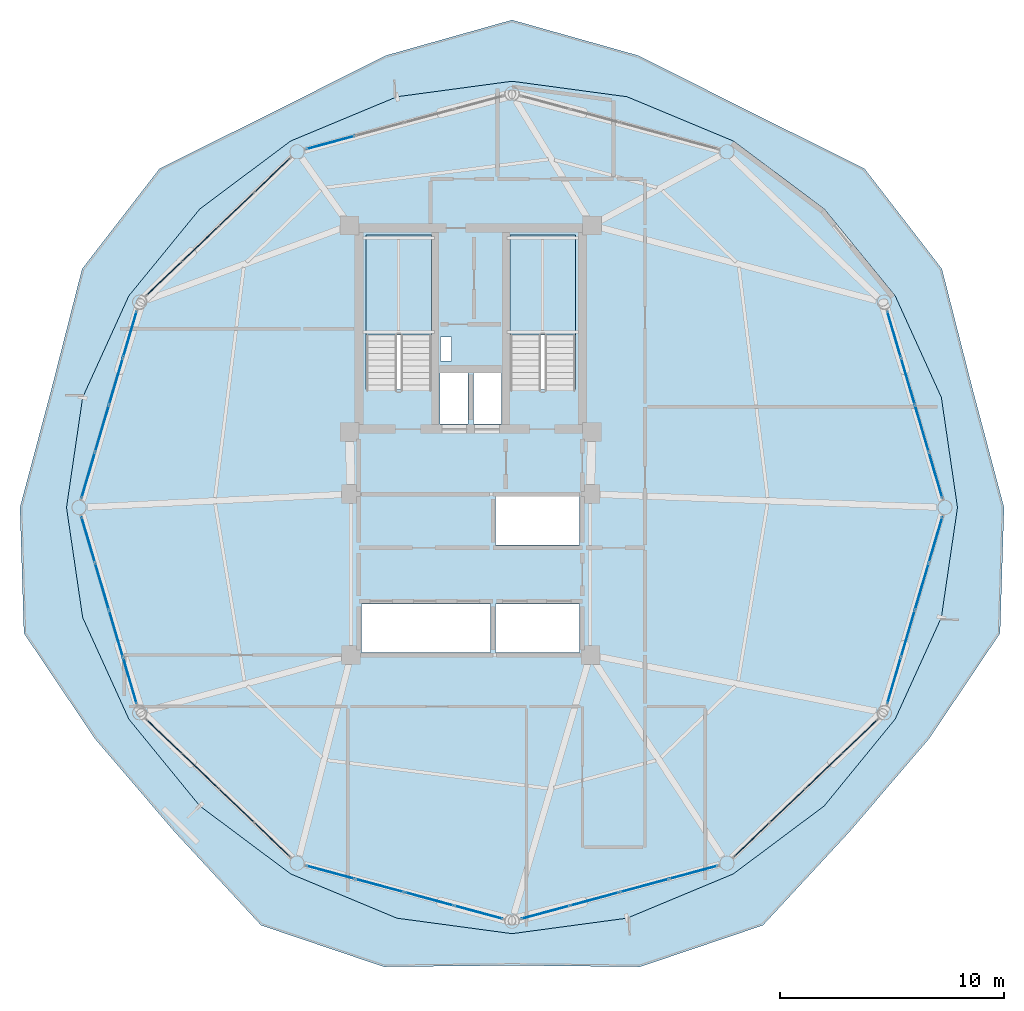
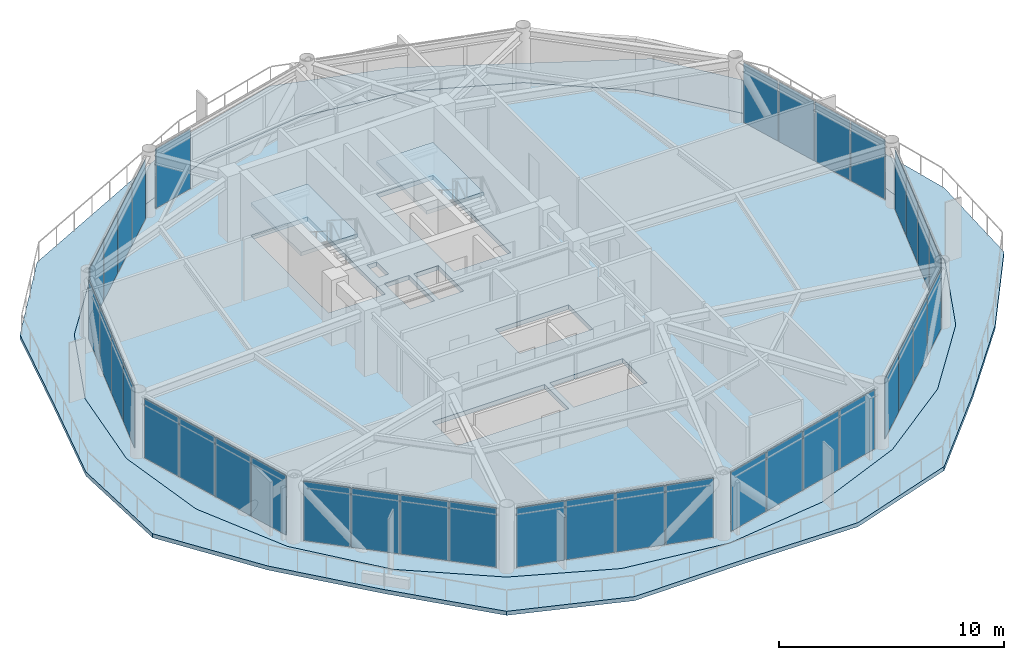
# One storey, part 22 of 28: 37 plates, 4 slabs, 12 elements without a shape of their own.
"""IFC4 building model written with IfcOpenShell, lengths in metres."""

from ifc_helpers import new_model, si_unit, direction, frame, origin, origin_2d, place, context, subcontext, project, spatial, polyline, rectangle, outline, extrude, source, transform, mapped, material, layer, layer_set, type_object, type_shapes, element, aggregate, save


model = new_model("IFC4")

# Units and contexts
model_context = context("Model", 3, precision=1e-05, world=origin(), true_north=direction((0.0, 1.0)))
body_context = subcontext(model_context, "Body", "Model", "MODEL_VIEW")
ifc_project = project(units=[si_unit("LENGTHUNIT", "METRE"), si_unit("AREAUNIT", "SQUARE_METRE"), si_unit("VOLUMEUNIT", "CUBIC_METRE"), si_unit("PLANEANGLEUNIT", "RADIAN"), si_unit("MASSUNIT", "GRAM", prefix="KILO")], contexts=[model_context])

# Site, building, storey
site_placement = place(None, origin())
site = spatial("IfcSite", under=ifc_project, at=site_placement, CompositionType="ELEMENT")
building_placement = place(site_placement, origin())
building = spatial("IfcBuilding", under=site, at=building_placement, Name="Varnakorn Sky Granary", CompositionType="ELEMENT")
storey_placement = place(building_placement, frame((0.0, 0.0, 200.39990234375)))
storey = spatial("IfcBuildingStorey", under=building, at=storey_placement, Name="L50", CompositionType="ELEMENT", Elevation=200.39990234375)

# Stair, slab
ifc_material_1 = material(Name="Concrete C40/50", Category="concrete")
stair_type = type_object("IfcStairType", Name="ST-MAIN-ASSEMBLY", PredefinedType="HALF_TURN_STAIR", material=ifc_material_1)
stair_1_placement = place(storey_placement, origin())
stair_1 = element("IfcStair", 1, at=stair_1_placement, inside=storey, type_object=stair_type, Name="L50 Protected Exit Stair ST-1", PredefinedType="HALF_TURN_STAIR")
ifc_layer_1 = layer(ifc_material_1, 0.199951171875, Name="Concrete C40/50")
ifc_layer_set_1 = layer_set([ifc_layer_1], Name="Concrete C40/50")
slab_type_1 = type_object("IfcSlabType", Name="ST-MAIN-LAND", PredefinedType="LANDING", material=ifc_layer_set_1)
slab_1_placement = place(storey_placement, frame((0.0, 0.0, 1.60009765625)))
slab_1 = element("IfcSlab", 2, at=slab_1_placement, type_object=slab_type_1, Name="ST-1 landing 1", PredefinedType="LANDING", context=body_context, shape_type="SweptSolid", body=[
    extrude(outline(polyline([(1.239990234375, 7.719970703125), (1.239990234375, 12.179931640625), (-1.669921875, 12.179931640625), (-1.669921875, 7.719970703125), (1.239990234375, 7.719970703125)])), origin(), (0.0, 0.0, 1.0), 0.199951171875),
])
aggregate(stair_1, [slab_1])

stair_2_placement = place(storey_placement, origin())
stair_2 = element("IfcStair", 3, at=stair_2_placement, inside=storey, type_object=stair_type, Name="L50 Protected Exit Stair ST-2", PredefinedType="HALF_TURN_STAIR")
slab_2_placement = place(storey_placement, frame((0.0, 0.0, 1.60009765625)))
slab_2 = element("IfcSlab", 4, at=slab_2_placement, type_object=slab_type_1, Name="ST-2 landing 1", PredefinedType="LANDING", context=body_context, shape_type="SweptSolid", body=[
    extrude(outline(polyline([(7.679931640625, 7.719970703125), (7.679931640625, 12.179931640625), (4.77001953125, 12.179931640625), (4.77001953125, 7.719970703125), (7.679931640625, 7.719970703125)])), origin(), (0.0, 0.0, 1.0), 0.199951171875),
])
aggregate(stair_2, [slab_2])

# Slabs
ifc_material_2 = material(Name="Precast concrete C40/50", Category="concrete")
ifc_layer_2 = layer(ifc_material_2, 0.219970703125, Name="Precast concrete C40/50")
ifc_layer_set_2 = layer_set([ifc_layer_2], Name="Precast concrete C40/50")
slab_type_2 = type_object("IfcSlabType", Name="ST-SL-DECK-220", PredefinedType="FLOOR", material=ifc_layer_set_2)
slab_3_placement = place(storey_placement, frame((0.0, 0.0, -0.219970703125)))
element("IfcSlab", 5, at=slab_3_placement, inside=storey, type_object=slab_type_2, Name="Wavy Sky-Farm Balcony Deck L50", PredefinedType="FLOOR", context=body_context, shape_type="SweptSolid", body=[
    extrude(outline(polyline([(26.85595703125, 0.0), (25.447021484375, 5.295654296875), (24.07666015625, 10.6689453125), (20.61328125, 15.153076171875), (15.499755859375, 17.698486328125), (10.48974609375, 20.214111328125), (4.85009765625, 21.802978515625), (-0.789794921875, 20.214111328125), (-5.7998046875, 17.698486328125), (-10.913330078125, 15.153076171875), (-14.376708984375, 10.6689453125), (-15.746826171875, 5.295654296875), (-17.156005859375, 0.0), (-16.978515625, -5.62548828125), (-13.80517578125, -10.339111328125), (-10.25341796875, -14.4931640625), (-6.371337890625, -18.6884765625), (-0.878173828125, -20.544189453125), (4.85009765625, -20.48291015625), (10.578125, -20.544189453125), (16.0712890625, -18.6884765625), (19.953369140625, -14.4931640625), (23.505126953125, -10.339111328125), (26.678466796875, -5.62548828125), (26.85595703125, 0.0)]), holes=[polyline([(24.77587890625, 0.0), (24.0537109375, 4.922119140625), (21.989501953125, 9.464111328125), (18.8125, 13.352294921875), (14.74560546875, 16.39208984375), (9.99560546875, 18.3701171875), (4.85009765625, 19.06298828125), (-0.295654296875, 18.3701171875), (-5.04541015625, 16.39208984375), (-9.112548828125, 13.352294921875), (-12.28955078125, 9.464111328125), (-14.353515625, 4.922119140625), (-15.075927734375, 0.0), (-14.353515625, -4.922119140625), (-12.28955078125, -9.464111328125), (-9.112548828125, -13.352294921875), (-5.04541015625, -16.39208984375), (-0.295654296875, -18.3701171875), (4.85009765625, -19.06298828125), (9.99560546875, -18.3701171875), (14.74560546875, -16.39208984375), (18.8125, -13.352294921875), (21.989501953125, -9.464111328125), (24.0537109375, -4.922119140625), (24.77587890625, 0.0)])]), origin(), (0.0, 0.0, 1.0), 0.219970703125),
])
ifc_material_3 = material(Name="Concrete C50/60", Category="concrete")
ifc_layer_3 = layer(ifc_material_3, 0.239990234375, Name="Concrete C50/60")
ifc_layer_set_3 = layer_set([ifc_layer_3], Name="Concrete C50/60")
slab_type_3 = type_object("IfcSlabType", Name="ST-SL-TWR-240", PredefinedType="FLOOR", material=ifc_layer_set_3)
slab_4_placement = place(storey_placement, frame((0.0, 0.0, -0.239990234375)))
element("IfcSlab", 6, at=slab_4_placement, inside=storey, type_object=slab_type_3, Name="Level L50 Structural Floor Slab", PredefinedType="FLOOR", context=body_context, shape_type="SweptSolid", body=[
    extrude(outline(polyline([(24.77587890625, 0.0), (24.0537109375, 4.922119140625), (21.989501953125, 9.464111328125), (18.8125, 13.352294921875), (14.74560546875, 16.39208984375), (9.99560546875, 18.3701171875), (4.85009765625, 19.06298828125), (-0.295654296875, 18.3701171875), (-5.04541015625, 16.39208984375), (-9.112548828125, 13.352294921875), (-12.28955078125, 9.464111328125), (-14.353515625, 4.922119140625), (-15.075927734375, 0.0), (-14.353515625, -4.922119140625), (-12.28955078125, -9.464111328125), (-9.112548828125, -13.352294921875), (-5.04541015625, -16.39208984375), (-0.295654296875, -18.3701171875), (4.85009765625, -19.06298828125), (9.99560546875, -18.3701171875), (14.74560546875, -16.39208984375), (18.8125, -13.352294921875), (21.989501953125, -9.464111328125), (24.0537109375, -4.922119140625), (24.77587890625, 0.0)]), holes=[polyline([(1.239990234375, 5.27490234375), (1.239990234375, 12.179931640625), (-1.669921875, 12.179931640625), (-1.669921875, 5.27490234375), (1.239990234375, 5.27490234375)]), polyline([(7.679931640625, 5.27490234375), (7.679931640625, 12.179931640625), (4.77001953125, 12.179931640625), (4.77001953125, 5.27490234375), (7.679931640625, 5.27490234375)]), polyline([(1.659912109375, 6.550048828125), (2.14990234375, 6.550048828125), (2.14990234375, 7.6201171875), (1.659912109375, 7.6201171875), (1.659912109375, 6.550048828125)]), polyline([(1.6201171875, 3.739990234375), (2.8798828125, 3.739990234375), (2.8798828125, 6.010009765625), (1.6201171875, 6.010009765625), (1.6201171875, 3.739990234375)]), polyline([(3.1201171875, 3.739990234375), (4.3798828125, 3.739990234375), (4.3798828125, 6.010009765625), (3.1201171875, 6.010009765625), (3.1201171875, 3.739990234375)]), polyline([(4.1201171875, -1.679931640625), (7.8798828125, -1.679931640625), (7.8798828125, 0.47998046875), (4.1201171875, 0.47998046875), (4.1201171875, -1.679931640625)]), polyline([(-1.8798828125, -6.47998046875), (3.8798828125, -6.47998046875), (3.8798828125, -4.320068359375), (-1.8798828125, -4.320068359375), (-1.8798828125, -6.47998046875)]), polyline([(4.1201171875, -6.47998046875), (7.8798828125, -6.47998046875), (7.8798828125, -4.320068359375), (4.1201171875, -4.320068359375), (4.1201171875, -6.47998046875)])]), origin(), (0.0, 0.0, 1.0), 0.239990234375),
])

# Curtain wall, plates
ifc_material_4 = material(Name="Anodised Bronze Aluminium Alloy 6063-T6", Category="aluminium")
ifc_layer_4 = layer(ifc_material_4, 0.169921875, Name="Anodised Bronze Aluminium Alloy 6063-T6")
ifc_layer_set_4 = layer_set([ifc_layer_4], Name="Anodised Bronze Aluminium Alloy 6063-T6")
curtain_wall_type = type_object("IfcCurtainWallType", Name="CW-LAB-1", PredefinedType="USERDEFINED", material=ifc_layer_set_4)
curtain_wall_1_placement = place(storey_placement, origin())
curtain_wall_1 = element("IfcCurtainWall", 7, at=curtain_wall_1_placement, inside=storey, type_object=curtain_wall_type, Name="Unitised Curtain Wall CW5 CW-L50-B01", ObjectType="CURTAIN WALL", PredefinedType="USERDEFINED")
ifc_material_5 = material(Name="Opaque Insulated Aluminium Shadow-Box Unit", Category="aluminium")
ifc_layer_5 = layer(ifc_material_5, 0.033935546875, Name="Opaque Insulated Aluminium Shadow-Box Unit")
ifc_layer_set_5 = layer_set([ifc_layer_5], Name="Opaque Insulated Aluminium Shadow-Box Unit")
plate_type = type_object("IfcPlateType", Name="CW-LAB-1-PNL", PredefinedType="CURTAIN_PANEL")
shared_shape_1 = source(origin(), body_context, "Body", "SweptSolid", [
    extrude(rectangle(XDim=2.102783203125, YDim=0.033935546875, at=origin_2d()), origin(), (0.0, 0.0, 1.0), 3.219970703125),
])
plate_1_placement = place(storey_placement, frame((21.939697265625, 7.744384765625, 0.0703125), z_axis=(0.0, 0.0, 1.0), x_axis=(0.283144261272, -0.959077331245, 0.0)))
plate_1 = element("IfcPlate", 8, at=plate_1_placement, type_object=plate_type, material=ifc_layer_set_5, Name="CW5 opaque insulated shadow-box unit 1.1", PredefinedType="CURTAIN_PANEL", context=body_context, shape_type="MappedRepresentation", body=[
    mapped(shared_shape_1, transform((0.0, 0.0, 0.0), x_axis=(1.0, 0.0, 0.0), y_axis=(0.0, 1.0, 0.0), z_axis=(0.0, 0.0, 1.0), scale=1.0)),
])
ifc_material_6 = material(Name="Low-E Tinted Laminated Glass", Category="glass")
ifc_layer_6 = layer(ifc_material_6, 0.033935546875, Name="Low-E Tinted Laminated Glass")
ifc_layer_set_6 = layer_set([ifc_layer_6], Name="Low-E Tinted Laminated Glass")
plate_2_placement = place(storey_placement, frame((23.799560546875, 1.44482421875, 0.0703125), z_axis=(0.0, 0.0, 1.0), x_axis=(0.283144261272, -0.959077331245, 0.0)))
plate_2 = element("IfcPlate", 9, at=plate_2_placement, type_object=plate_type, material=ifc_layer_set_6, Name="CW5 vision glazing unit 4.1", PredefinedType="CURTAIN_PANEL", context=body_context, shape_type="MappedRepresentation", body=[
    mapped(shared_shape_1, transform((0.0, 0.0, 0.0), x_axis=(1.0, 0.0, 0.0), y_axis=(0.0, 1.0, 0.0), z_axis=(0.0, 0.0, 1.0), scale=1.0)),
])

curtain_wall_2_placement = place(storey_placement, origin())
curtain_wall_2 = element("IfcCurtainWall", 10, at=curtain_wall_2_placement, inside=storey, type_object=curtain_wall_type, Name="Unitised Curtain Wall CW5 CW-L50-B06", ObjectType="CURTAIN WALL", PredefinedType="USERDEFINED")
plate_3_placement = place(storey_placement, frame((-14.099609375, 1.44482421875, 0.0703125), z_axis=(0.0, 0.0, 1.0), x_axis=(0.283144261272, 0.959077331245, 0.0)))
plate_3 = element("IfcPlate", 11, at=plate_3_placement, type_object=plate_type, material=ifc_layer_set_6, Name="CW5 vision glazing unit 1.1", PredefinedType="CURTAIN_PANEL", context=body_context, shape_type="MappedRepresentation", body=[
    mapped(shared_shape_1, transform((0.0, 0.0, 0.0), x_axis=(1.0, 0.0, 0.0), y_axis=(0.0, 1.0, 0.0), z_axis=(0.0, 0.0, 1.0), scale=1.0)),
])
plate_4_placement = place(storey_placement, frame((-12.23974609375, 7.744384765625, 0.0703125), z_axis=(0.0, 0.0, 1.0), x_axis=(0.283144261272, 0.959077331245, 0.0)))
plate_4 = element("IfcPlate", 12, at=plate_4_placement, type_object=plate_type, material=ifc_layer_set_5, Name="CW5 opaque insulated shadow-box unit 4.1", PredefinedType="CURTAIN_PANEL", context=body_context, shape_type="MappedRepresentation", body=[
    mapped(shared_shape_1, transform((0.0, 0.0, 0.0), x_axis=(1.0, 0.0, 0.0), y_axis=(0.0, 1.0, 0.0), z_axis=(0.0, 0.0, 1.0), scale=1.0)),
])

curtain_wall_3_placement = place(storey_placement, origin())
curtain_wall_3 = element("IfcCurtainWall", 13, at=curtain_wall_3_placement, inside=storey, type_object=curtain_wall_type, Name="Unitised Curtain Wall CW5 CW-L50-B07", ObjectType="CURTAIN WALL", PredefinedType="USERDEFINED")
plate_5_placement = place(storey_placement, frame((-12.23974609375, -7.744384765625, 0.0703125), z_axis=(0.0, 0.0, 1.0), x_axis=(-0.283144261272, 0.959077331245, 0.0)))
plate_5 = element("IfcPlate", 14, at=plate_5_placement, type_object=plate_type, material=ifc_layer_set_5, Name="CW5 opaque insulated shadow-box unit 1.1", PredefinedType="CURTAIN_PANEL", context=body_context, shape_type="MappedRepresentation", body=[
    mapped(shared_shape_1, transform((0.0, 0.0, 0.0), x_axis=(1.0, 0.0, 0.0), y_axis=(0.0, 1.0, 0.0), z_axis=(0.0, 0.0, 1.0), scale=1.0)),
])
plate_6_placement = place(storey_placement, frame((-14.099609375, -1.44482421875, 0.0703125), z_axis=(0.0, 0.0, 1.0), x_axis=(-0.283144261272, 0.959077331245, 0.0)))
plate_6 = element("IfcPlate", 15, at=plate_6_placement, type_object=plate_type, material=ifc_layer_set_6, Name="CW5 vision glazing unit 4.1", PredefinedType="CURTAIN_PANEL", context=body_context, shape_type="MappedRepresentation", body=[
    mapped(shared_shape_1, transform((0.0, 0.0, 0.0), x_axis=(1.0, 0.0, 0.0), y_axis=(0.0, 1.0, 0.0), z_axis=(0.0, 0.0, 1.0), scale=1.0)),
])

curtain_wall_4_placement = place(storey_placement, origin())
curtain_wall_4 = element("IfcCurtainWall", 16, at=curtain_wall_4_placement, inside=storey, type_object=curtain_wall_type, Name="Unitised Curtain Wall CW5 CW-L50-B12", ObjectType="CURTAIN WALL", PredefinedType="USERDEFINED")
plate_7_placement = place(storey_placement, frame((23.799560546875, -1.44482421875, 0.0703125), z_axis=(0.0, 0.0, 1.0), x_axis=(-0.283144261272, -0.959077331245, 0.0)))
plate_7 = element("IfcPlate", 17, at=plate_7_placement, type_object=plate_type, material=ifc_layer_set_6, Name="CW5 vision glazing unit 1.1", PredefinedType="CURTAIN_PANEL", context=body_context, shape_type="MappedRepresentation", body=[
    mapped(shared_shape_1, transform((0.0, 0.0, 0.0), x_axis=(1.0, 0.0, 0.0), y_axis=(0.0, 1.0, 0.0), z_axis=(0.0, 0.0, 1.0), scale=1.0)),
])
plate_8_placement = place(storey_placement, frame((21.939697265625, -7.744384765625, 0.0703125), z_axis=(0.0, 0.0, 1.0), x_axis=(-0.283144261272, -0.959077331245, 0.0)))
plate_8 = element("IfcPlate", 18, at=plate_8_placement, type_object=plate_type, material=ifc_layer_set_5, Name="CW5 opaque insulated shadow-box unit 4.1", PredefinedType="CURTAIN_PANEL", context=body_context, shape_type="MappedRepresentation", body=[
    mapped(shared_shape_1, transform((0.0, 0.0, 0.0), x_axis=(1.0, 0.0, 0.0), y_axis=(0.0, 1.0, 0.0), z_axis=(0.0, 0.0, 1.0), scale=1.0)),
])

# Plate
shared_shape_2 = source(origin(), body_context, "Body", "SweptSolid", [
    extrude(rectangle(XDim=2.13525390625, YDim=0.033935546875, at=origin_2d()), origin(), (0.0, 0.0, 1.0), 3.219970703125),
])
plate_9_placement = place(storey_placement, frame((22.55810546875, 5.649658203125, 0.0703125), z_axis=(0.0, 0.0, 1.0), x_axis=(0.283144261272, -0.959077331245, 0.0)))
plate_9 = element("IfcPlate", 19, at=plate_9_placement, type_object=plate_type, material=ifc_layer_set_5, Name="CW5 opaque insulated shadow-box unit 2.1", PredefinedType="CURTAIN_PANEL", context=body_context, shape_type="MappedRepresentation", body=[
    mapped(shared_shape_2, transform((0.0, 0.0, 0.0), x_axis=(1.0, 0.0, 0.0), y_axis=(0.0, 1.0, 0.0), z_axis=(0.0, 0.0, 1.0), scale=1.0)),
])

plate_10_placement = place(storey_placement, frame((23.18115234375, 3.539306640625, 0.0703125), z_axis=(0.0, 0.0, 1.0), x_axis=(0.283144261272, -0.959077331245, 0.0)))
plate_10 = element("IfcPlate", 20, at=plate_10_placement, type_object=plate_type, material=ifc_layer_set_6, Name="CW5 vision glazing unit 3.1", PredefinedType="CURTAIN_PANEL", context=body_context, shape_type="MappedRepresentation", body=[
    mapped(shared_shape_2, transform((0.0, 0.0, 0.0), x_axis=(1.0, 0.0, 0.0), y_axis=(0.0, 1.0, 0.0), z_axis=(0.0, 0.0, 1.0), scale=1.0)),
])

aggregate(curtain_wall_1, [plate_1, plate_9, plate_10, plate_2])

plate_11_placement = place(storey_placement, frame((-13.481201171875, 3.539306640625, 0.0703125), z_axis=(0.0, 0.0, 1.0), x_axis=(0.283144261272, 0.959077331245, 0.0)))
plate_11 = element("IfcPlate", 21, at=plate_11_placement, type_object=plate_type, material=ifc_layer_set_6, Name="CW5 vision glazing unit 2.1", PredefinedType="CURTAIN_PANEL", context=body_context, shape_type="MappedRepresentation", body=[
    mapped(shared_shape_2, transform((0.0, 0.0, 0.0), x_axis=(1.0, 0.0, 0.0), y_axis=(0.0, 1.0, 0.0), z_axis=(0.0, 0.0, 1.0), scale=1.0)),
])

plate_12_placement = place(storey_placement, frame((-12.858154296875, 5.649658203125, 0.0703125), z_axis=(0.0, 0.0, 1.0), x_axis=(0.283144261272, 0.959077331245, 0.0)))
plate_12 = element("IfcPlate", 22, at=plate_12_placement, type_object=plate_type, material=ifc_layer_set_5, Name="CW5 opaque insulated shadow-box unit 3.1", PredefinedType="CURTAIN_PANEL", context=body_context, shape_type="MappedRepresentation", body=[
    mapped(shared_shape_2, transform((0.0, 0.0, 0.0), x_axis=(1.0, 0.0, 0.0), y_axis=(0.0, 1.0, 0.0), z_axis=(0.0, 0.0, 1.0), scale=1.0)),
])

aggregate(curtain_wall_2, [plate_3, plate_11, plate_12, plate_4])

plate_13_placement = place(storey_placement, frame((-12.858154296875, -5.649658203125, 0.0703125), z_axis=(0.0, 0.0, 1.0), x_axis=(-0.283144261272, 0.959077331245, 0.0)))
plate_13 = element("IfcPlate", 23, at=plate_13_placement, type_object=plate_type, material=ifc_layer_set_5, Name="CW5 opaque insulated shadow-box unit 2.1", PredefinedType="CURTAIN_PANEL", context=body_context, shape_type="MappedRepresentation", body=[
    mapped(shared_shape_2, transform((0.0, 0.0, 0.0), x_axis=(1.0, 0.0, 0.0), y_axis=(0.0, 1.0, 0.0), z_axis=(0.0, 0.0, 1.0), scale=1.0)),
])

plate_14_placement = place(storey_placement, frame((-13.481201171875, -3.539306640625, 0.0703125), z_axis=(0.0, 0.0, 1.0), x_axis=(-0.283144261272, 0.959077331245, 0.0)))
plate_14 = element("IfcPlate", 24, at=plate_14_placement, type_object=plate_type, material=ifc_layer_set_6, Name="CW5 vision glazing unit 3.1", PredefinedType="CURTAIN_PANEL", context=body_context, shape_type="MappedRepresentation", body=[
    mapped(shared_shape_2, transform((0.0, 0.0, 0.0), x_axis=(1.0, 0.0, 0.0), y_axis=(0.0, 1.0, 0.0), z_axis=(0.0, 0.0, 1.0), scale=1.0)),
])

aggregate(curtain_wall_3, [plate_5, plate_13, plate_14, plate_6])

plate_15_placement = place(storey_placement, frame((23.18115234375, -3.539306640625, 0.0703125), z_axis=(0.0, 0.0, 1.0), x_axis=(-0.283144261272, -0.959077331245, 0.0)))
plate_15 = element("IfcPlate", 25, at=plate_15_placement, type_object=plate_type, material=ifc_layer_set_6, Name="CW5 vision glazing unit 2.1", PredefinedType="CURTAIN_PANEL", context=body_context, shape_type="MappedRepresentation", body=[
    mapped(shared_shape_2, transform((0.0, 0.0, 0.0), x_axis=(1.0, 0.0, 0.0), y_axis=(0.0, 1.0, 0.0), z_axis=(0.0, 0.0, 1.0), scale=1.0)),
])

plate_16_placement = place(storey_placement, frame((22.55810546875, -5.649658203125, 0.0703125), z_axis=(0.0, 0.0, 1.0), x_axis=(-0.283144261272, -0.959077331245, 0.0)))
plate_16 = element("IfcPlate", 26, at=plate_16_placement, type_object=plate_type, material=ifc_layer_set_5, Name="CW5 opaque insulated shadow-box unit 3.1", PredefinedType="CURTAIN_PANEL", context=body_context, shape_type="MappedRepresentation", body=[
    mapped(shared_shape_2, transform((0.0, 0.0, 0.0), x_axis=(1.0, 0.0, 0.0), y_axis=(0.0, 1.0, 0.0), z_axis=(0.0, 0.0, 1.0), scale=1.0)),
])

aggregate(curtain_wall_4, [plate_7, plate_15, plate_16, plate_8])

# Curtain wall, plate
curtain_wall_5_placement = place(storey_placement, origin())
curtain_wall_5 = element("IfcCurtainWall", 27, at=curtain_wall_5_placement, inside=storey, type_object=curtain_wall_type, Name="Unitised Curtain Wall CW5 CW-L50-B04", ObjectType="CURTAIN WALL", PredefinedType="USERDEFINED")
shared_shape_3 = source(origin(), body_context, "Body", "SweptSolid", [
    extrude(rectangle(XDim=2.19873046875, YDim=0.033935546875, at=origin_2d()), origin(), (0.0, 0.0, 1.0), 3.219970703125),
])
plate_17_placement = place(storey_placement, frame((-3.269775390625, 16.32080078125, 0.0703125), z_axis=(0.0, 0.0, 1.0), x_axis=(0.965435246946, 0.260643020154, 0.0)))
plate_17 = element("IfcPlate", 28, at=plate_17_placement, type_object=plate_type, material=ifc_layer_set_6, Name="CW5 vision glazing unit 1.1", PredefinedType="CURTAIN_PANEL", context=body_context, shape_type="MappedRepresentation", body=[
    mapped(shared_shape_3, transform((0.0, 0.0, 0.0), x_axis=(1.0, 0.0, 0.0), y_axis=(0.0, 1.0, 0.0), z_axis=(0.0, 0.0, 1.0), scale=1.0)),
])
aggregate(curtain_wall_5, [plate_17])

# Curtain wall, plates
curtain_wall_6_placement = place(storey_placement, origin())
curtain_wall_6 = element("IfcCurtainWall", 29, at=curtain_wall_6_placement, inside=storey, type_object=curtain_wall_type, Name="Unitised Curtain Wall CW5 CW-L50-B09", ObjectType="CURTAIN WALL", PredefinedType="USERDEFINED")
plate_18_placement = place(storey_placement, frame((3.349365234375, -18.10791015625, 0.0703125), z_axis=(0.0, 0.0, 1.0), x_axis=(-0.965435246946, 0.260643020154, 0.0)))
plate_18 = element("IfcPlate", 30, at=plate_18_placement, type_object=plate_type, material=ifc_layer_set_5, Name="CW5 opaque insulated shadow-box unit 1.1", PredefinedType="CURTAIN_PANEL", context=body_context, shape_type="MappedRepresentation", body=[
    mapped(shared_shape_3, transform((0.0, 0.0, 0.0), x_axis=(1.0, 0.0, 0.0), y_axis=(0.0, 1.0, 0.0), z_axis=(0.0, 0.0, 1.0), scale=1.0)),
])
plate_19_placement = place(storey_placement, frame((-3.269775390625, -16.32080078125, 0.0703125), z_axis=(0.0, 0.0, 1.0), x_axis=(-0.965435246946, 0.260643020154, 0.0)))
plate_19 = element("IfcPlate", 31, at=plate_19_placement, type_object=plate_type, material=ifc_layer_set_6, Name="CW5 vision glazing unit 4.1", PredefinedType="CURTAIN_PANEL", context=body_context, shape_type="MappedRepresentation", body=[
    mapped(shared_shape_3, transform((0.0, 0.0, 0.0), x_axis=(1.0, 0.0, 0.0), y_axis=(0.0, 1.0, 0.0), z_axis=(0.0, 0.0, 1.0), scale=1.0)),
])

curtain_wall_7_placement = place(storey_placement, origin())
curtain_wall_7 = element("IfcCurtainWall", 32, at=curtain_wall_7_placement, inside=storey, type_object=curtain_wall_type, Name="Unitised Curtain Wall CW5 CW-L50-B10", ObjectType="CURTAIN WALL", PredefinedType="USERDEFINED")
plate_20_placement = place(storey_placement, frame((12.969970703125, -16.32080078125, 0.0703125), z_axis=(0.0, 0.0, 1.0), x_axis=(-0.965435246946, -0.260643020154, 0.0)))
plate_20 = element("IfcPlate", 33, at=plate_20_placement, type_object=plate_type, material=ifc_layer_set_6, Name="CW5 vision glazing unit 1.1", PredefinedType="CURTAIN_PANEL", context=body_context, shape_type="MappedRepresentation", body=[
    mapped(shared_shape_3, transform((0.0, 0.0, 0.0), x_axis=(1.0, 0.0, 0.0), y_axis=(0.0, 1.0, 0.0), z_axis=(0.0, 0.0, 1.0), scale=1.0)),
])
plate_21_placement = place(storey_placement, frame((6.3505859375, -18.10791015625, 0.0703125), z_axis=(0.0, 0.0, 1.0), x_axis=(-0.965435246946, -0.260643020154, 0.0)))
plate_21 = element("IfcPlate", 34, at=plate_21_placement, type_object=plate_type, material=ifc_layer_set_5, Name="CW5 opaque insulated shadow-box unit 4.1", PredefinedType="CURTAIN_PANEL", context=body_context, shape_type="MappedRepresentation", body=[
    mapped(shared_shape_3, transform((0.0, 0.0, 0.0), x_axis=(1.0, 0.0, 0.0), y_axis=(0.0, 1.0, 0.0), z_axis=(0.0, 0.0, 1.0), scale=1.0)),
])

# Plate
shared_shape_4 = source(origin(), body_context, "Body", "SweptSolid", [
    extrude(rectangle(XDim=2.231201171875, YDim=0.033935546875, at=origin_2d()), origin(), (0.0, 0.0, 1.0), 3.219970703125),
])
plate_22_placement = place(storey_placement, frame((1.148193359375, -17.513671875, 0.0703125), z_axis=(0.0, 0.0, 1.0), x_axis=(-0.965435246946, 0.260643020154, 0.0)))
plate_22 = element("IfcPlate", 35, at=plate_22_placement, type_object=plate_type, material=ifc_layer_set_5, Name="CW5 opaque insulated shadow-box unit 2.1", PredefinedType="CURTAIN_PANEL", context=body_context, shape_type="MappedRepresentation", body=[
    mapped(shared_shape_4, transform((0.0, 0.0, 0.0), x_axis=(1.0, 0.0, 0.0), y_axis=(0.0, 1.0, 0.0), z_axis=(0.0, 0.0, 1.0), scale=1.0)),
])

plate_23_placement = place(storey_placement, frame((-1.068603515625, -16.9150390625, 0.0703125), z_axis=(0.0, 0.0, 1.0), x_axis=(-0.965435246946, 0.260643020154, 0.0)))
plate_23 = element("IfcPlate", 36, at=plate_23_placement, type_object=plate_type, material=ifc_layer_set_6, Name="CW5 vision glazing unit 3.1", PredefinedType="CURTAIN_PANEL", context=body_context, shape_type="MappedRepresentation", body=[
    mapped(shared_shape_4, transform((0.0, 0.0, 0.0), x_axis=(1.0, 0.0, 0.0), y_axis=(0.0, 1.0, 0.0), z_axis=(0.0, 0.0, 1.0), scale=1.0)),
])

aggregate(curtain_wall_6, [plate_18, plate_22, plate_23, plate_19])

plate_24_placement = place(storey_placement, frame((10.768798828125, -16.9150390625, 0.0703125), z_axis=(0.0, 0.0, 1.0), x_axis=(-0.965435246946, -0.260643020154, 0.0)))
plate_24 = element("IfcPlate", 37, at=plate_24_placement, type_object=plate_type, material=ifc_layer_set_6, Name="CW5 vision glazing unit 2.1", PredefinedType="CURTAIN_PANEL", context=body_context, shape_type="MappedRepresentation", body=[
    mapped(shared_shape_4, transform((0.0, 0.0, 0.0), x_axis=(1.0, 0.0, 0.0), y_axis=(0.0, 1.0, 0.0), z_axis=(0.0, 0.0, 1.0), scale=1.0)),
])

plate_25_placement = place(storey_placement, frame((8.5517578125, -17.513671875, 0.0703125), z_axis=(0.0, 0.0, 1.0), x_axis=(-0.965435246946, -0.260643020154, 0.0)))
plate_25 = element("IfcPlate", 38, at=plate_25_placement, type_object=plate_type, material=ifc_layer_set_5, Name="CW5 opaque insulated shadow-box unit 3.1", PredefinedType="CURTAIN_PANEL", context=body_context, shape_type="MappedRepresentation", body=[
    mapped(shared_shape_4, transform((0.0, 0.0, 0.0), x_axis=(1.0, 0.0, 0.0), y_axis=(0.0, 1.0, 0.0), z_axis=(0.0, 0.0, 1.0), scale=1.0)),
])

aggregate(curtain_wall_7, [plate_20, plate_24, plate_25, plate_21])

# Curtain wall, plates
curtain_wall_8_placement = place(storey_placement, origin())
curtain_wall_8 = element("IfcCurtainWall", 39, at=curtain_wall_8_placement, inside=storey, type_object=curtain_wall_type, Name="Unitised Curtain Wall CW5 CW-L50-B05", ObjectType="CURTAIN WALL", PredefinedType="USERDEFINED")
shared_shape_5 = source(origin(), body_context, "Body", "SweptSolid", [
    extrude(rectangle(XDim=2.142333984375, YDim=0.033935546875, at=origin_2d()), origin(), (0.0, 0.0, 1.0), 3.219970703125),
])
plate_26_placement = place(storey_placement, frame((-10.709716796875, 10.2431640625, 0.0703125), z_axis=(0.0, 0.0, 1.0), x_axis=(0.723144424195, 0.690696852284, 0.0)))
plate_26 = element("IfcPlate", 40, at=plate_26_placement, type_object=plate_type, material=ifc_layer_set_5, Name="CW5 opaque insulated shadow-box unit 1.1", PredefinedType="CURTAIN_PANEL", context=body_context, shape_type="MappedRepresentation", body=[
    mapped(shared_shape_5, transform((0.0, 0.0, 0.0), x_axis=(1.0, 0.0, 0.0), y_axis=(0.0, 1.0, 0.0), z_axis=(0.0, 0.0, 1.0), scale=1.0)),
])
plate_27_placement = place(storey_placement, frame((-5.8740234375, 14.861572265625, 0.0703125), z_axis=(0.0, 0.0, 1.0), x_axis=(0.723144424195, 0.690696852284, 0.0)))
plate_27 = element("IfcPlate", 41, at=plate_27_placement, type_object=plate_type, material=ifc_layer_set_6, Name="CW5 vision glazing unit 4.1", PredefinedType="CURTAIN_PANEL", context=body_context, shape_type="MappedRepresentation", body=[
    mapped(shared_shape_5, transform((0.0, 0.0, 0.0), x_axis=(1.0, 0.0, 0.0), y_axis=(0.0, 1.0, 0.0), z_axis=(0.0, 0.0, 1.0), scale=1.0)),
])

curtain_wall_9_placement = place(storey_placement, origin())
curtain_wall_9 = element("IfcCurtainWall", 42, at=curtain_wall_9_placement, inside=storey, type_object=curtain_wall_type, Name="Unitised Curtain Wall CW5 CW-L50-B08", ObjectType="CURTAIN WALL", PredefinedType="USERDEFINED")
plate_28_placement = place(storey_placement, frame((-5.8740234375, -14.861572265625, 0.0703125), z_axis=(0.0, 0.0, 1.0), x_axis=(-0.723144424195, 0.690696852284, 0.0)))
plate_28 = element("IfcPlate", 43, at=plate_28_placement, type_object=plate_type, material=ifc_layer_set_6, Name="CW5 vision glazing unit 1.1", PredefinedType="CURTAIN_PANEL", context=body_context, shape_type="MappedRepresentation", body=[
    mapped(shared_shape_5, transform((0.0, 0.0, 0.0), x_axis=(1.0, 0.0, 0.0), y_axis=(0.0, 1.0, 0.0), z_axis=(0.0, 0.0, 1.0), scale=1.0)),
])
plate_29_placement = place(storey_placement, frame((-10.709716796875, -10.2431640625, 0.0703125), z_axis=(0.0, 0.0, 1.0), x_axis=(-0.723144424195, 0.690696852284, 0.0)))
plate_29 = element("IfcPlate", 44, at=plate_29_placement, type_object=plate_type, material=ifc_layer_set_5, Name="CW5 opaque insulated shadow-box unit 4.1", PredefinedType="CURTAIN_PANEL", context=body_context, shape_type="MappedRepresentation", body=[
    mapped(shared_shape_5, transform((0.0, 0.0, 0.0), x_axis=(1.0, 0.0, 0.0), y_axis=(0.0, 1.0, 0.0), z_axis=(0.0, 0.0, 1.0), scale=1.0)),
])

curtain_wall_10_placement = place(storey_placement, origin())
curtain_wall_10 = element("IfcCurtainWall", 45, at=curtain_wall_10_placement, inside=storey, type_object=curtain_wall_type, Name="Unitised Curtain Wall CW5 CW-L50-B11", ObjectType="CURTAIN WALL", PredefinedType="USERDEFINED")
plate_30_placement = place(storey_placement, frame((20.40966796875, -10.2431640625, 0.0703125), z_axis=(0.0, 0.0, 1.0), x_axis=(-0.723144424195, -0.690696852284, 0.0)))
plate_30 = element("IfcPlate", 46, at=plate_30_placement, type_object=plate_type, material=ifc_layer_set_5, Name="CW5 opaque insulated shadow-box unit 1.1", PredefinedType="CURTAIN_PANEL", context=body_context, shape_type="MappedRepresentation", body=[
    mapped(shared_shape_5, transform((0.0, 0.0, 0.0), x_axis=(1.0, 0.0, 0.0), y_axis=(0.0, 1.0, 0.0), z_axis=(0.0, 0.0, 1.0), scale=1.0)),
])
plate_31_placement = place(storey_placement, frame((15.573974609375, -14.861572265625, 0.0703125), z_axis=(0.0, 0.0, 1.0), x_axis=(-0.723144424195, -0.690696852284, 0.0)))
plate_31 = element("IfcPlate", 47, at=plate_31_placement, type_object=plate_type, material=ifc_layer_set_6, Name="CW5 vision glazing unit 4.1", PredefinedType="CURTAIN_PANEL", context=body_context, shape_type="MappedRepresentation", body=[
    mapped(shared_shape_5, transform((0.0, 0.0, 0.0), x_axis=(1.0, 0.0, 0.0), y_axis=(0.0, 1.0, 0.0), z_axis=(0.0, 0.0, 1.0), scale=1.0)),
])

# Plate
shared_shape_6 = source(origin(), body_context, "Body", "SweptSolid", [
    extrude(rectangle(XDim=2.1748046875, YDim=0.033935546875, at=origin_2d()), origin(), (0.0, 0.0, 1.0), 3.219970703125),
])
type_shapes(plate_type, [shared_shape_1, shared_shape_2, shared_shape_3, shared_shape_4, shared_shape_5, shared_shape_6])
plate_32_placement = place(storey_placement, frame((-9.101806640625, 11.77880859375, 0.0703125), z_axis=(0.0, 0.0, 1.0), x_axis=(0.723144424195, 0.690696852284, 0.0)))
plate_32 = element("IfcPlate", 48, at=plate_32_placement, type_object=plate_type, material=ifc_layer_set_5, Name="CW5 opaque insulated shadow-box unit 2.1", PredefinedType="CURTAIN_PANEL", context=body_context, shape_type="MappedRepresentation", body=[
    mapped(shared_shape_6, transform((0.0, 0.0, 0.0), x_axis=(1.0, 0.0, 0.0), y_axis=(0.0, 1.0, 0.0), z_axis=(0.0, 0.0, 1.0), scale=1.0)),
])

plate_33_placement = place(storey_placement, frame((-7.48193359375, 13.325927734375, 0.0703125), z_axis=(0.0, 0.0, 1.0), x_axis=(0.723144424195, 0.690696852284, 0.0)))
plate_33 = element("IfcPlate", 49, at=plate_33_placement, type_object=plate_type, material=ifc_layer_set_6, Name="CW5 vision glazing unit 3.1", PredefinedType="CURTAIN_PANEL", context=body_context, shape_type="MappedRepresentation", body=[
    mapped(shared_shape_6, transform((0.0, 0.0, 0.0), x_axis=(1.0, 0.0, 0.0), y_axis=(0.0, 1.0, 0.0), z_axis=(0.0, 0.0, 1.0), scale=1.0)),
])

aggregate(curtain_wall_8, [plate_26, plate_32, plate_33, plate_27])

plate_34_placement = place(storey_placement, frame((-7.48193359375, -13.325927734375, 0.0703125), z_axis=(0.0, 0.0, 1.0), x_axis=(-0.723144424195, 0.690696852284, 0.0)))
plate_34 = element("IfcPlate", 50, at=plate_34_placement, type_object=plate_type, material=ifc_layer_set_6, Name="CW5 vision glazing unit 2.1", PredefinedType="CURTAIN_PANEL", context=body_context, shape_type="MappedRepresentation", body=[
    mapped(shared_shape_6, transform((0.0, 0.0, 0.0), x_axis=(1.0, 0.0, 0.0), y_axis=(0.0, 1.0, 0.0), z_axis=(0.0, 0.0, 1.0), scale=1.0)),
])

plate_35_placement = place(storey_placement, frame((-9.101806640625, -11.77880859375, 0.0703125), z_axis=(0.0, 0.0, 1.0), x_axis=(-0.723144424195, 0.690696852284, 0.0)))
plate_35 = element("IfcPlate", 51, at=plate_35_placement, type_object=plate_type, material=ifc_layer_set_5, Name="CW5 opaque insulated shadow-box unit 3.1", PredefinedType="CURTAIN_PANEL", context=body_context, shape_type="MappedRepresentation", body=[
    mapped(shared_shape_6, transform((0.0, 0.0, 0.0), x_axis=(1.0, 0.0, 0.0), y_axis=(0.0, 1.0, 0.0), z_axis=(0.0, 0.0, 1.0), scale=1.0)),
])

aggregate(curtain_wall_9, [plate_28, plate_34, plate_35, plate_29])

plate_36_placement = place(storey_placement, frame((18.8017578125, -11.77880859375, 0.0703125), z_axis=(0.0, 0.0, 1.0), x_axis=(-0.723144424195, -0.690696852284, 0.0)))
plate_36 = element("IfcPlate", 52, at=plate_36_placement, type_object=plate_type, material=ifc_layer_set_5, Name="CW5 opaque insulated shadow-box unit 2.1", PredefinedType="CURTAIN_PANEL", context=body_context, shape_type="MappedRepresentation", body=[
    mapped(shared_shape_6, transform((0.0, 0.0, 0.0), x_axis=(1.0, 0.0, 0.0), y_axis=(0.0, 1.0, 0.0), z_axis=(0.0, 0.0, 1.0), scale=1.0)),
])

plate_37_placement = place(storey_placement, frame((17.18212890625, -13.325927734375, 0.0703125), z_axis=(0.0, 0.0, 1.0), x_axis=(-0.723144424195, -0.690696852284, 0.0)))
plate_37 = element("IfcPlate", 53, at=plate_37_placement, type_object=plate_type, material=ifc_layer_set_6, Name="CW5 vision glazing unit 3.1", PredefinedType="CURTAIN_PANEL", context=body_context, shape_type="MappedRepresentation", body=[
    mapped(shared_shape_6, transform((0.0, 0.0, 0.0), x_axis=(1.0, 0.0, 0.0), y_axis=(0.0, 1.0, 0.0), z_axis=(0.0, 0.0, 1.0), scale=1.0)),
])

aggregate(curtain_wall_10, [plate_30, plate_36, plate_37, plate_31])

save(model, "model.ifc")
